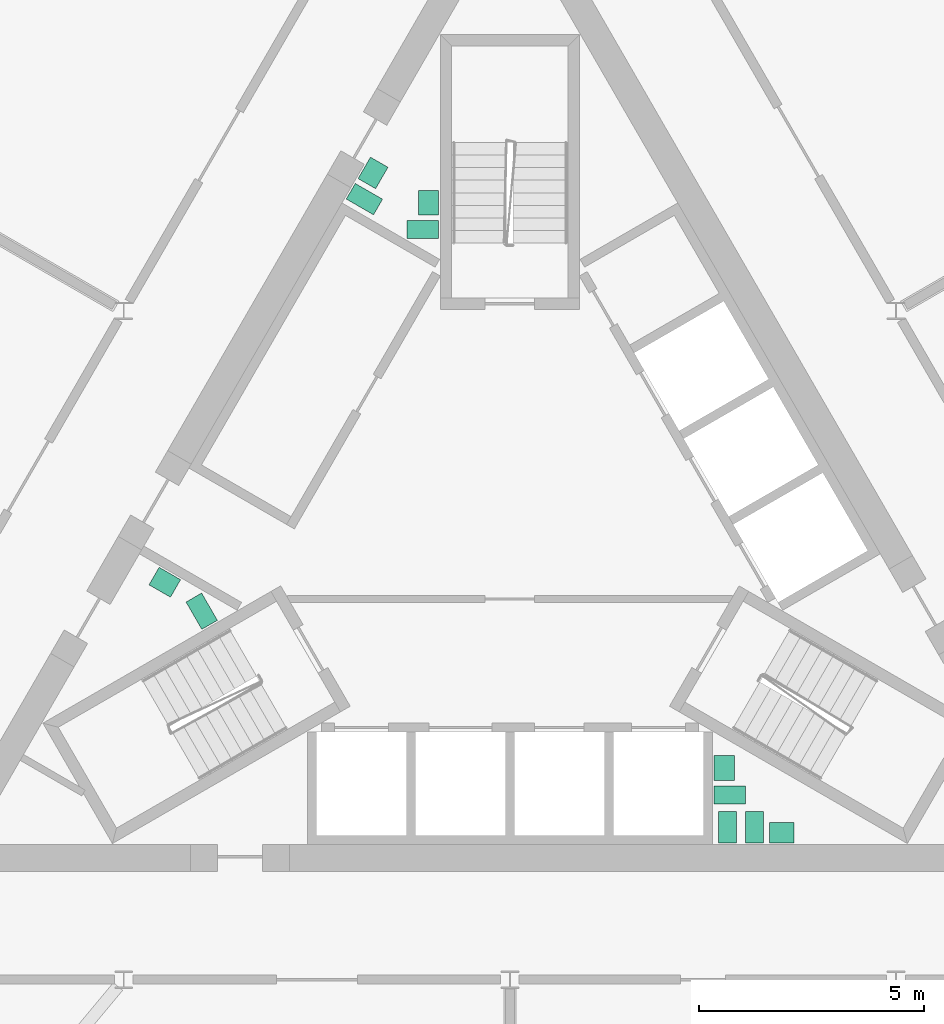
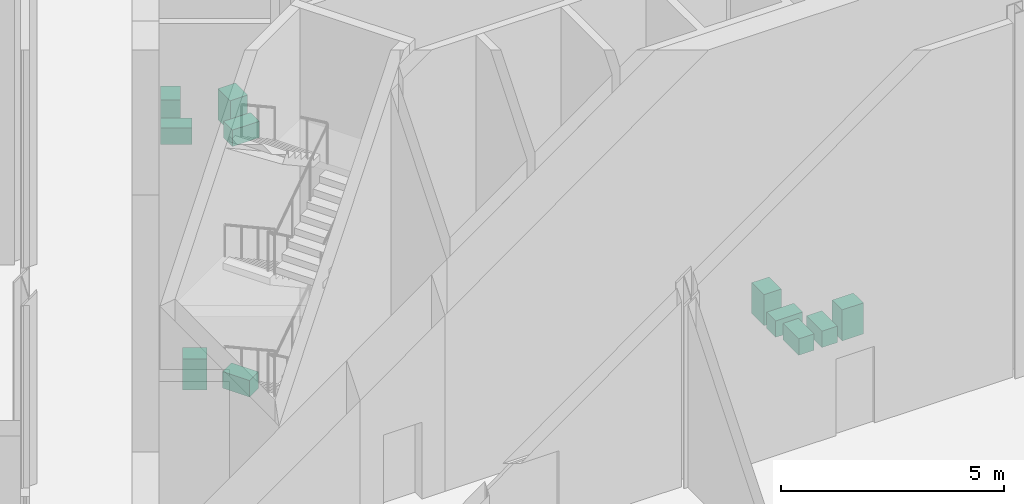
# One storey, part 17 of 18: 11 sanitary terminals.
"""IFC4 building model written with IfcOpenShell, lengths in metres."""

from ifc_helpers import new_model, si_unit, direction, frame, origin, origin_2d, place, context, subcontext, project, spatial, rectangle, extrude, material, type_object, element, save


model = new_model("IFC4")

# Units and contexts
model_context = context("Model", 3, precision=1e-05, world=origin(), true_north=direction((0.0, 1.0)))
body_context = subcontext(model_context, "Body", "Model", "MODEL_VIEW")
ifc_project = project(units=[si_unit("LENGTHUNIT", "METRE"), si_unit("AREAUNIT", "SQUARE_METRE"), si_unit("VOLUMEUNIT", "CUBIC_METRE"), si_unit("PLANEANGLEUNIT", "RADIAN"), si_unit("MASSUNIT", "GRAM", prefix="KILO")], contexts=[model_context])

# Site, building, storey
site_placement = place(None, origin())
site = spatial("IfcSite", under=ifc_project, at=site_placement, CompositionType="ELEMENT")
building_placement = place(site_placement, origin())
building = spatial("IfcBuilding", under=site, at=building_placement, Name="Cormorant Prow Tower", CompositionType="ELEMENT")
storey_placement = place(building_placement, frame((0.0, 0.0, 346.0)))
storey = spatial("IfcBuildingStorey", under=building, at=storey_placement, Name="L78", CompositionType="ELEMENT", Elevation=346.0)

# Sanitary terminals
ifc_material_1 = material(Name="Vitreous china")
sanitary_terminal_type_1 = type_object("IfcSanitaryTerminalType", Name="Wash basin 550x450", PredefinedType="WASHHANDBASIN", material=ifc_material_1)
for number, where, z_axis, x_axis, name in (
    (1, (4.764892578125, -5.2001953125, 0.0), (0.0, 0.0, 1.0), (0.0, -1.0, 0.0), "Wash basin"),
    (2, (6.0400390625, -6.640625, 0.0), (0.0, 0.0, 1.0), (1.0, 0.0, 0.0), "Wash basin"),
    (3, (-1.80908203125, 7.35693359375, 0.0), (0.0, 0.0, 1.0), (0.0, 1.0, 0.0), "Wash basin"),
    (4, (-3.039306640625, 8.01708984375, 0.0), (0.0, 0.0, 1.0), (-0.5, -0.866025403784, 0.0), "Wash basin"),
    (5, (-7.665283203125, -1.076416015625, 0.0), (0.0, 0.0, 1.0), (-0.866025403784, 0.5, 0.0), "Wash basin"),
):
    element("IfcSanitaryTerminal", number, at=place(storey_placement, frame(where, z_axis=z_axis, x_axis=x_axis)), inside=storey, type_object=sanitary_terminal_type_1, Name=name, PredefinedType="WASHHANDBASIN", context=body_context, shape_type="SweptSolid", body=[
        extrude(rectangle(XDim=0.550048828125, YDim=0.449951171875, at=origin_2d()), origin(), (0.0, 0.0, 1.0), 0.85009765625),
    ])
ifc_material_2 = material(Name="Vitreous china")
sanitary_terminal_type_2 = type_object("IfcSanitaryTerminalType", Name="Water closet 400x700", PredefinedType="WCSEAT", material=ifc_material_2)
for number, where, z_axis, x_axis, name in (
    (6, (4.840087890625, -6.515625, 0.0), (0.0, 0.0, 1.0), (1.0, 0.0, 0.0), "Water closet"),
    (7, (4.889892578125, -5.80029296875, 0.0), (0.0, 0.0, 1.0), (0.0, -1.0, 0.0), "Water closet"),
    (8, (5.43994140625, -6.515625, 0.0), (0.0, 0.0, 1.0), (1.0, 0.0, 0.0), "Water closet"),
    (9, (-1.93408203125, 6.7568359375, 0.0), (0.0, 0.0, 1.0), (0.0, 1.0, 0.0), "Water closet"),
    (10, (-3.23095703125, 7.43505859375, 0.0), (0.0, 0.0, 1.0), (-0.5, -0.866025403784, 0.0), "Water closet"),
    (11, (-6.84521484375, -1.718994140625, 0.0), (0.0, 0.0, 1.0), (0.866016677006, 0.500015114919, 0.0), "Water closet"),
):
    element("IfcSanitaryTerminal", number, at=place(storey_placement, frame(where, z_axis=z_axis, x_axis=x_axis)), inside=storey, type_object=sanitary_terminal_type_2, Name=name, PredefinedType="WCSEAT", context=body_context, shape_type="SweptSolid", body=[
        extrude(rectangle(XDim=0.39990234375, YDim=0.699951171875, at=origin_2d()), origin(), (0.0, 0.0, 1.0), 0.449951171875),
    ])

save(model, "model.ifc")
